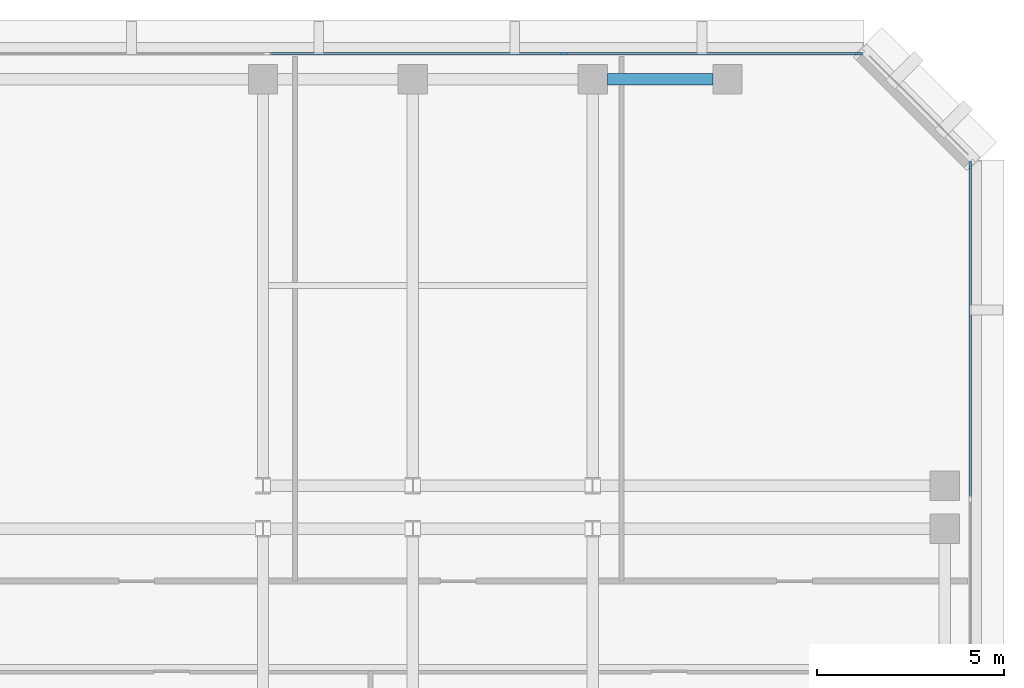
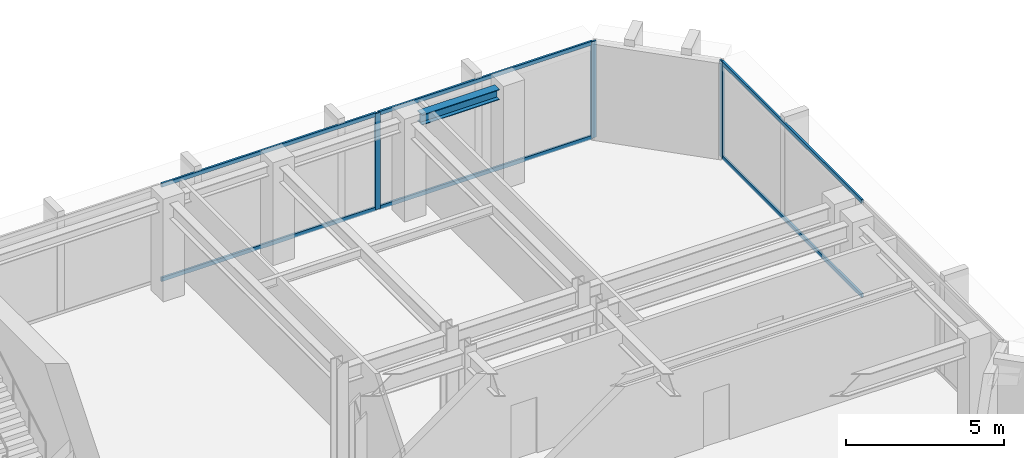
# One storey, part 5 of 12: 9 members, 1 beam, 2 elements without a shape of their own.
"""IFC4 building model written with IfcOpenShell, lengths in metres."""

from ifc_helpers import new_model, si_unit, direction, frame, origin, origin_2d, place, context, subcontext, project, spatial, rectangle, i_section, extrude, material, layer, layer_set, material_profile, profile_set, type_object, element, aggregate, save


model = new_model("IFC4")

# Units and contexts
model_context = context("Model", 3, precision=1e-05, world=origin(), true_north=direction((0.0, 1.0)))
body_context = subcontext(model_context, "Body", "Model", "MODEL_VIEW")
ifc_project = project(units=[si_unit("LENGTHUNIT", "METRE"), si_unit("AREAUNIT", "SQUARE_METRE"), si_unit("VOLUMEUNIT", "CUBIC_METRE"), si_unit("PLANEANGLEUNIT", "RADIAN"), si_unit("MASSUNIT", "GRAM", prefix="KILO")], contexts=[model_context])

# Site, building, storey
site_placement = place(None, origin())
site = spatial("IfcSite", under=ifc_project, at=site_placement, CompositionType="ELEMENT")
building_placement = place(site_placement, origin())
building = spatial("IfcBuilding", under=site, at=building_placement, Name="Kefirva Bronze Tower", CompositionType="ELEMENT")
storey_placement = place(building_placement, frame((0.0, 0.0, 207.239990234375)))
storey = spatial("IfcBuildingStorey", under=building, at=storey_placement, Name="L50", CompositionType="ELEMENT", Elevation=207.239990234375)

# Curtain wall, member
ifc_material_1 = material(Name="Bronze anodised aluminium", Category="aluminium")
ifc_layer = layer(ifc_material_1, 0.179931640625, Name="Bronze anodised aluminium")
ifc_layer_set = layer_set([ifc_layer], Name="Bronze anodised aluminium")
curtain_wall_type = type_object("IfcCurtainWallType", Name="Unitised Bronze Ribbon Curtain Wall Zone 3", PredefinedType="USERDEFINED", material=ifc_layer_set)
curtain_wall_1_placement = place(storey_placement, origin())
curtain_wall_1 = element("IfcCurtainWall", 1, at=curtain_wall_1_placement, inside=storey, type_object=curtain_wall_type, Name="L50 Curtain Wall 3", ObjectType="UNITISED CURTAIN WALL", PredefinedType="USERDEFINED")
ifc_material_profile_1 = material_profile(ifc_material_1, rectangle(XDim=0.074951171875, YDim=0.179931640625, at=origin_2d()), Name="ALU 75x180")
ifc_profile_set_1 = profile_set([ifc_material_profile_1], Name="Bronze anodised aluminium")
member_type_1 = type_object("IfcMemberType", Name="Bronze Mullion 75x180", PredefinedType="MULLION", material=ifc_profile_set_1)
member_1_placement = place(storey_placement, frame((50.080078125, 42.907470703125, 0.0), z_axis=(0.0, 0.0, 1.0), x_axis=(-1.0, 0.0, 0.0)))
member_1 = element("IfcMember", 2, at=member_1_placement, type_object=member_type_1, Name="CW-03 mullion 3", PredefinedType="MULLION", context=body_context, shape_type="SweptSolid", body=[
    extrude(rectangle(XDim=0.074951171875, YDim=0.179931640625, at=origin_2d()), origin(), (0.0, 0.0, 1.0), 3.7099609375),
])

# Curtain wall, members
curtain_wall_2_placement = place(storey_placement, origin())
curtain_wall_2 = element("IfcCurtainWall", 3, at=curtain_wall_2_placement, inside=storey, type_object=curtain_wall_type, Name="L50 Curtain Wall 4", ObjectType="UNITISED CURTAIN WALL", PredefinedType="USERDEFINED")
member_2_placement = place(storey_placement, frame((47.107421875, 45.8798828125, 0.0), z_axis=(0.0, 0.0, 1.0), x_axis=(0.0, -1.0, 0.0)))
member_2 = element("IfcMember", 4, at=member_2_placement, type_object=member_type_1, Name="CW-03 mullion 1", PredefinedType="MULLION", context=body_context, shape_type="SweptSolid", body=[
    extrude(rectangle(XDim=0.074951171875, YDim=0.179931640625, at=origin_2d()), origin(), (0.0, 0.0, 1.0), 3.7099609375),
])
member_3_placement = place(storey_placement, frame((39.231689453125, 45.8798828125, 0.0), z_axis=(0.0, 0.0, 1.0), x_axis=(0.0, -1.0, 0.0)))
member_3 = element("IfcMember", 5, at=member_3_placement, type_object=member_type_1, Name="CW-03 mullion 2", PredefinedType="MULLION", context=body_context, shape_type="SweptSolid", body=[
    extrude(rectangle(XDim=0.074951171875, YDim=0.179931640625, at=origin_2d()), origin(), (0.0, 0.0, 1.0), 3.7099609375),
])

# Member
ifc_material_profile_2 = material_profile(ifc_material_1, rectangle(XDim=0.074951171875, YDim=0.14990234375, at=origin_2d()), Name="ALU 75x150")
ifc_profile_set_2 = profile_set([ifc_material_profile_2], Name="Bronze anodised aluminium")
member_type_2 = type_object("IfcMemberType", Name="Bronze Transom 75x150", PredefinedType="USERDEFINED", material=ifc_profile_set_2)
member_4_placement = place(storey_placement, frame((50.080078125, 34.03759765625, 0.03759765625), z_axis=(0.0, 1.0, 0.0), x_axis=(-1.0, 0.0, 0.0)))
member_4 = element("IfcMember", 6, at=member_4_placement, type_object=member_type_2, Name="CW-03 transom 2.1", ObjectType="TRANSOM", PredefinedType="USERDEFINED", context=body_context, shape_type="SweptSolid", body=[
    extrude(rectangle(XDim=0.074951171875, YDim=0.14990234375, at=origin_2d()), origin(), (0.0, 0.0, 1.0), 8.83251953125),
])

member_5_placement = place(storey_placement, frame((50.080078125, 34.03759765625, 3.672607421875), z_axis=(0.0, 1.0, 0.0), x_axis=(-1.0, 0.0, 0.0)))
member_5 = element("IfcMember", 7, at=member_5_placement, type_object=member_type_2, Name="CW-03 transom 2.2", ObjectType="TRANSOM", PredefinedType="USERDEFINED", context=body_context, shape_type="SweptSolid", body=[
    extrude(rectangle(XDim=0.074951171875, YDim=0.14990234375, at=origin_2d()), origin(), (0.0, 0.0, 1.0), 8.83251953125),
])

aggregate(curtain_wall_1, [member_1, member_4, member_5])

member_6_placement = place(storey_placement, frame((47.070068359375, 45.8798828125, 0.03759765625), z_axis=(-1.0, 0.0, 0.0), x_axis=(0.0, -1.0, 0.0)))
member_6 = element("IfcMember", 8, at=member_6_placement, type_object=member_type_2, Name="CW-03 transom 1.1", ObjectType="TRANSOM", PredefinedType="USERDEFINED", context=body_context, shape_type="SweptSolid", body=[
    extrude(rectangle(XDim=0.074951171875, YDim=0.14990234375, at=origin_2d()), origin(), (0.0, 0.0, 1.0), 7.80078125),
])

member_7_placement = place(storey_placement, frame((47.070068359375, 45.8798828125, 3.672607421875), z_axis=(-1.0, 0.0, 0.0), x_axis=(0.0, -1.0, 0.0)))
member_7 = element("IfcMember", 9, at=member_7_placement, type_object=member_type_2, Name="CW-03 transom 1.2", ObjectType="TRANSOM", PredefinedType="USERDEFINED", context=body_context, shape_type="SweptSolid", body=[
    extrude(rectangle(XDim=0.074951171875, YDim=0.14990234375, at=origin_2d()), origin(), (0.0, 0.0, 1.0), 7.80078125),
])

member_8_placement = place(storey_placement, frame((39.194091796875, 45.8798828125, 0.03759765625), z_axis=(-1.0, 0.0, 0.0), x_axis=(0.0, -1.0, 0.0)))
member_8 = element("IfcMember", 10, at=member_8_placement, type_object=member_type_2, Name="CW-03 transom 2.1", ObjectType="TRANSOM", PredefinedType="USERDEFINED", context=body_context, shape_type="SweptSolid", body=[
    extrude(rectangle(XDim=0.074951171875, YDim=0.14990234375, at=origin_2d()), origin(), (0.0, 0.0, 1.0), 7.83837890625),
])

member_9_placement = place(storey_placement, frame((39.194091796875, 45.8798828125, 3.672607421875), z_axis=(-1.0, 0.0, 0.0), x_axis=(0.0, -1.0, 0.0)))
member_9 = element("IfcMember", 11, at=member_9_placement, type_object=member_type_2, Name="CW-03 transom 2.2", ObjectType="TRANSOM", PredefinedType="USERDEFINED", context=body_context, shape_type="SweptSolid", body=[
    extrude(rectangle(XDim=0.074951171875, YDim=0.14990234375, at=origin_2d()), origin(), (0.0, 0.0, 1.0), 7.83837890625),
])

aggregate(curtain_wall_2, [member_2, member_3, member_6, member_7, member_8, member_9])

# Beam
ifc_material_2 = material(Name="Steel S355", Category="steel")
ifc_material_profile_3 = material_profile(ifc_material_2, i_section(OverallWidth=0.300048828125, OverallDepth=0.39990234375, WebThickness=0.013427734375, FlangeThickness=0.02392578125, at=origin_2d()), Name="HEB 400")
ifc_profile_set_3 = profile_set([ifc_material_profile_3], Name="Steel S355")
beam_type = type_object("IfcBeamType", Name="Steel Spandrel HEB 400 Ext", PredefinedType="SPANDREL", material=ifc_profile_set_3)
beam_placement = place(storey_placement, frame((40.389892578125, 45.199951171875, 3.510009765625), z_axis=(1.0, 0.0, 0.0), x_axis=(0.0, 1.0, 0.0)))
element("IfcBeam", 12, at=beam_placement, inside=storey, type_object=beam_type, Name="L50 BM-L50-EW-40-452", PredefinedType="SPANDREL", context=body_context, shape_type="SweptSolid", body=[
    extrude(i_section(OverallWidth=0.300048828125, OverallDepth=0.39990234375, WebThickness=0.013427734375, FlangeThickness=0.02392578125, at=origin_2d()), origin(), (0.0, 0.0, 1.0), 2.820068359375),
])

save(model, "model.ifc")
